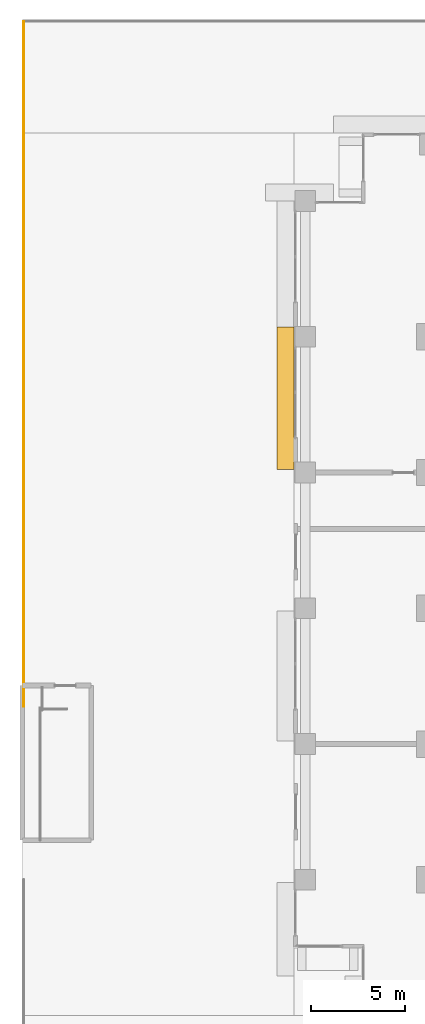
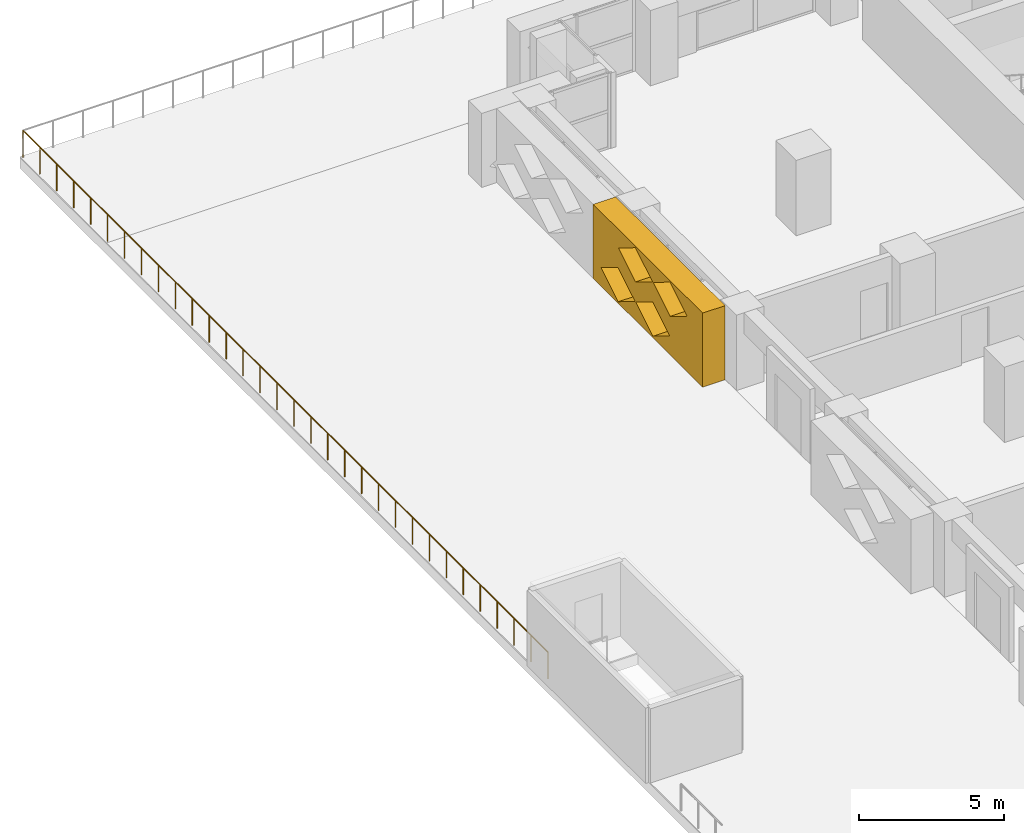
# One storey, part 19 of 24: 1 covering, 1 railing.
"""IFC4 building model written with IfcOpenShell, lengths in metres."""

import ifcopenshell
import ifcopenshell.guid

model = None  # the IFC model being written
_history = None  # IfcOwnerHistory: only IFC2X3 demands one
_inside = {}  # id of a spatial element -> (the spatial element, [elements in it])
_under = {}  # id of a project, library or spatial element -> (it, [spatial elements below it])
_declared = {}  # id of a project -> (the project, [libraries it declares])
_typed = {}  # id of a type object -> (the type object, [elements of that type])
_made_of = {}  # id of a material, layer set ... -> (it, [elements and type objects made of it])


def new_model(schema):
    """Start an empty IFC model of exactly this schema.

    Asked for "IFC4X3", IfcOpenShell would pick the latest addendum, in which some entities
    have other attributes; the version numbers below select the first issue.
    IFC2X3 requires an IfcOwnerHistory on every rooted entity: one is made here for all.
    """
    global model, _history
    if schema == "IFC4X3":
        model = ifcopenshell.file(schema_version=(4, 3, 0, 0))
    else:
        model = ifcopenshell.file(schema=schema)
    _inside.clear()
    _under.clear()
    _declared.clear()
    _typed.clear()
    _made_of.clear()
    _history = None
    if model.schema == "IFC2X3":
        org = make("IfcOrganization", Name="unknown")
        user = make(
            "IfcPersonAndOrganization",
            ThePerson=make("IfcPerson", FamilyName="unknown"),
            TheOrganization=org,
        )
        app = make(
            "IfcApplication",
            ApplicationDeveloper=org,
            Version="unknown",
            ApplicationFullName="unknown",
            ApplicationIdentifier="unknown",
        )
        _history = make(
            "IfcOwnerHistory",
            OwningUser=user,
            OwningApplication=app,
            ChangeAction="ADDED",
            CreationDate=0,
        )
    return model


def make(cls, **values):
    """One entity of the class cls with the attributes given. An attribute that is None is left unset."""
    return model.create_entity(
        cls, **{name: value for name, value in values.items() if value is not None}
    )


def rooted(cls, **values):
    """An entity with a GlobalId (a new one), such as an element, a storey or a relation."""
    return make(cls, GlobalId=ifcopenshell.guid.new(), OwnerHistory=_history, **values)


def si_unit(unit_type, name, prefix=None):
    """IfcSIUnit, for example si_unit("LENGTHUNIT", "METRE", prefix="MILLI")."""
    return make("IfcSIUnit", UnitType=unit_type, Prefix=prefix, Name=name)


def assignment(units):
    """IfcUnitAssignment: the units of a project."""
    return None if units is None else make("IfcUnitAssignment", Units=units)


def point(xyz):
    """IfcCartesianPoint."""
    return None if xyz is None else make("IfcCartesianPoint", Coordinates=xyz)


def direction(xyz):
    """IfcDirection."""
    return None if xyz is None else make("IfcDirection", DirectionRatios=xyz)


def frame(location, z_axis=None, x_axis=None):
    """IfcAxis2Placement3D, a coordinate frame: its origin and axes. An axis left out is left unset."""
    return make(
        "IfcAxis2Placement3D",
        Location=point(location),
        Axis=direction(z_axis),
        RefDirection=direction(x_axis),
    )


def frame_2d(location, x_axis=None):
    """IfcAxis2Placement2D, a coordinate frame in the plane: its origin and x axis."""
    return make(
        "IfcAxis2Placement2D", Location=point(location), RefDirection=direction(x_axis)
    )


def origin():
    """The frame at (0, 0, 0) with its axes left unset."""
    return frame((0.0, 0.0, 0.0))


def origin_2d():
    """The frame at (0, 0) in the plane with its x axis left unset."""
    return frame_2d((0.0, 0.0))


def place(relative_to, where):
    """IfcLocalPlacement: puts the frame where relative to a parent placement (None: the world)."""
    return make(
        "IfcLocalPlacement", PlacementRelTo=relative_to, RelativePlacement=where
    )


def context(
    kind, dimensions, precision=None, world=None, true_north=None, identifier=None
):
    """IfcGeometricRepresentationContext, for example the 3D "Model" context."""
    return make(
        "IfcGeometricRepresentationContext",
        ContextIdentifier=identifier,
        ContextType=kind,
        CoordinateSpaceDimension=dimensions,
        Precision=precision,
        WorldCoordinateSystem=world,
        TrueNorth=true_north,
    )


def subcontext(parent, identifier, kind, view, scale=None):
    """IfcGeometricRepresentationSubContext, for example "Body" below "Model"."""
    return make(
        "IfcGeometricRepresentationSubContext",
        ContextIdentifier=identifier,
        ContextType=kind,
        ParentContext=parent,
        TargetScale=scale,
        TargetView=view,
    )


def project(units=None, contexts=None):
    """IfcProject with its units and contexts."""
    return rooted(
        "IfcProject",
        Name="project",
        RepresentationContexts=contexts,
        UnitsInContext=assignment(units),
    )


def spatial(cls, under=None, at=None, **own):
    """A site, building, storey or space (cls), placed at a placement, below another one or the project."""
    s = rooted(cls, ObjectPlacement=at, **own)
    if under is not None:
        _under.setdefault(under.id(), (under, []))[1].append(s)
    return s


def polyline(points):
    """IfcPolyline through the points."""
    return make("IfcPolyline", Points=[point(p) for p in points])


def profile(cls, at=None, kind="AREA", **sizes):
    """A parametric profile (cls). Its sizes go by their IFC names, for example OverallWidth=200.0."""
    return make(cls, ProfileType=kind, Position=at, **sizes)


def circle(**sizes):
    """IfcCircleProfileDef."""
    return profile("IfcCircleProfileDef", **sizes)


def outline(outer, holes=None, kind="AREA"):
    """IfcArbitraryClosedProfileDef: a profile drawn as a closed curve; with holes, ...WithVoids."""
    if holes is None:
        return make("IfcArbitraryClosedProfileDef", ProfileType=kind, OuterCurve=outer)
    return make(
        "IfcArbitraryProfileDefWithVoids",
        ProfileType=kind,
        OuterCurve=outer,
        InnerCurves=holes,
    )


def extrude(swept, where, along, depth):
    """IfcExtrudedAreaSolid: the profile swept, set in the frame where, extruded along a direction by depth."""
    return make(
        "IfcExtrudedAreaSolid",
        SweptArea=swept,
        Position=where,
        ExtrudedDirection=direction(along),
        Depth=depth,
    )


def shape(context_of_items, identifier, shape_type, items):
    """IfcShapeRepresentation: the items that make up one representation, for example the "Body"."""
    return make(
        "IfcShapeRepresentation",
        ContextOfItems=context_of_items,
        RepresentationIdentifier=identifier,
        RepresentationType=shape_type,
        Items=items,
    )


def material(Name=None, Category=None):
    """IfcMaterial."""
    return make("IfcMaterial", Name=Name, Category=Category)


def made_of(thing, what):
    """Note that an element or type object is made of a material, layer set ...; save() writes the relation."""
    if what is not None:
        _made_of.setdefault(what.id(), (what, []))[1].append(thing)
    return thing


def type_object(cls, material=None, **own):
    """A type object (cls), such as IfcWallType, which elements share."""
    return made_of(rooted(cls, **own), material)


def element(
    cls,
    number,
    at=None,
    inside=None,
    cuts=None,
    type_object=None,
    material=None,
    context=None,
    identifier="Body",
    shape_type=None,
    held_by="IfcProductDefinitionShape",
    body=None,
    shapes=None,
    **own,
):
    """One element of the class cls, such as IfcWall. Its Tag is "e" and its number.

    at: its placement. inside: the storey or other place that contains it. cuts: it is an
    opening in that element (IfcRelVoidsElement). A single representation is given by context,
    identifier, shape_type and body (its items); several are given by shapes. held_by: the class
    of the entity that holds the representations. save() writes the other relations.
    """
    e = rooted(cls, Tag="e%d" % number, ObjectPlacement=at, **own)
    if body is not None:
        shapes = [shape(context, identifier, shape_type, body)]
    if shapes is not None:
        e.Representation = make(held_by, Representations=shapes)
    if inside is not None:
        _inside.setdefault(inside.id(), (inside, []))[1].append(e)
    if cuts is not None:
        rooted(
            "IfcRelVoidsElement", RelatingBuildingElement=cuts, RelatedOpeningElement=e
        )
    if type_object is not None:
        _typed.setdefault(type_object.id(), (type_object, []))[1].append(e)
    return made_of(e, material)


def aggregate(whole, parts):
    """IfcRelAggregates: a whole, such as a stair, and the parts it consists of."""
    return rooted("IfcRelAggregates", RelatingObject=whole, RelatedObjects=parts)


def save(model, path):
    """Write the relations noted so far, then the file.

    IfcRelAggregates (storeys below a building ...), IfcRelContainedInSpatialStructure (elements
    in a storey), IfcRelDefinesByType, IfcRelAssociatesMaterial and IfcRelDeclares: one each for
    every whole, place, type object, material and project.
    """
    for whole, parts in _under.values():
        aggregate(whole, parts)
    for where, things in _inside.values():
        rooted(
            "IfcRelContainedInSpatialStructure",
            RelatedElements=things,
            RelatingStructure=where,
        )
    for kind, things in _typed.values():
        rooted("IfcRelDefinesByType", RelatedObjects=things, RelatingType=kind)
    for what, things in _made_of.values():
        rooted("IfcRelAssociatesMaterial", RelatedObjects=things, RelatingMaterial=what)
    for by, libraries in _declared.values():
        rooted("IfcRelDeclares", RelatingContext=by, RelatedDefinitions=libraries)
    model.write(path)


model = new_model("IFC4")

# Units and contexts
model_context = context("Model", 3, precision=1e-05, world=origin(), true_north=direction((0.0, 1.0)))
body_context = subcontext(model_context, "Body", "Model", "MODEL_VIEW")
ifc_project = project(units=[si_unit("LENGTHUNIT", "METRE"), si_unit("AREAUNIT", "SQUARE_METRE"), si_unit("VOLUMEUNIT", "CUBIC_METRE"), si_unit("PLANEANGLEUNIT", "RADIAN"), si_unit("MASSUNIT", "GRAM", prefix="KILO")], contexts=[model_context])

# Site, building, storey
site_placement = place(None, origin())
site = spatial("IfcSite", under=ifc_project, at=site_placement, CompositionType="ELEMENT")
building_placement = place(site_placement, origin())
building = spatial("IfcBuilding", under=site, at=building_placement, Name="Saffron Iwan Residences", CompositionType="ELEMENT")
storey_placement = place(building_placement, frame((0.0, 0.0, 27.0)))
storey = spatial("IfcBuildingStorey", under=building, at=storey_placement, Name="L05", CompositionType="ELEMENT", Elevation=27.0)

# Covering
ifc_material_1 = material(Name="Precast concrete C40/50", Category="concrete")
covering_type = type_object("IfcCoveringType", Name="OUTER SKIN LATTICE SCREEN", PredefinedType="CLADDING", material=ifc_material_1)
covering_placement = place(storey_placement, frame((14.39990234375, 70.125, 0.050048828125), z_axis=(-1.0, 0.0, 0.0), x_axis=(0.0, -1.0, 0.0)))
element("IfcCovering", 1, at=covering_placement, inside=storey, type_object=covering_type, Name="OUTER SKIN lattice screen L05 F8.1", PredefinedType="CLADDING", context=body_context, shape_type="SweptSolid", body=[
    extrude(outline(polyline([(0.0, 0.0), (7.574951171875, 0.0), (7.574951171875, 3.1298828125), (0.0, 3.1298828125), (0.0, 0.0)]), holes=[polyline([(0.544921875, 0.782470703125), (1.72509765625, 0.06005859375), (2.905029296875, 0.782470703125), (1.72509765625, 1.5048828125), (0.544921875, 0.782470703125)]), polyline([(2.945068359375, 0.782470703125), (4.125, 0.06005859375), (5.304931640625, 0.782470703125), (4.125, 1.5048828125), (2.945068359375, 0.782470703125)]), polyline([(1.7451171875, 2.347412109375), (2.925048828125, 1.625), (4.10498046875, 2.347412109375), (2.925048828125, 3.070068359375), (1.7451171875, 2.347412109375)]), polyline([(4.14501953125, 2.347412109375), (5.324951171875, 1.625), (6.5048828125, 2.347412109375), (5.324951171875, 3.070068359375), (4.14501953125, 2.347412109375)])]), origin(), (0.0, 0.0, 1.0), 0.89990234375),
])

# Railing
ifc_material_2 = material(Name="Stainless steel 316", Category="steel")
railing_type = type_object("IfcRailingType", Name="TERRACE GUARD 1150", PredefinedType="BALUSTRADE", material=ifc_material_2)
railing_placement = place(storey_placement, frame((0.074951171875, 50.0, 0.050048828125)))
element("IfcRailing", 2, at=railing_placement, inside=storey, type_object=railing_type, Name="Terrace guard L05 3", PredefinedType="BALUSTRADE", context=body_context, shape_type="SweptSolid", body=[
    extrude(circle(Radius=0.02392578125, at=origin_2d()), frame((0.0, 0.0, 1.1259765625), z_axis=(0.0, 1.0, 0.0), x_axis=(-1.0, 0.0, 0.0)), (0.0, 0.0, 1.0), 36.324951171875),
    extrude(circle(Radius=0.02099609375, at=origin_2d()), origin(), (0.0, 0.0, 1.0), 1.101806640625),
    extrude(circle(Radius=0.02099609375, at=origin_2d()), frame((0.0, 1.171875, 0.0)), (0.0, 0.0, 1.0), 1.101806640625),
    extrude(circle(Radius=0.02099609375, at=origin_2d()), frame((0.0, 2.343505859375, 0.0)), (0.0, 0.0, 1.0), 1.101806640625),
    extrude(circle(Radius=0.02099609375, at=origin_2d()), frame((0.0, 3.515380859375, 0.0)), (0.0, 0.0, 1.0), 1.101806640625),
    extrude(circle(Radius=0.02099609375, at=origin_2d()), frame((0.0, 4.68701171875, 0.0)), (0.0, 0.0, 1.0), 1.101806640625),
    extrude(circle(Radius=0.02099609375, at=origin_2d()), frame((0.0, 5.85888671875, 0.0)), (0.0, 0.0, 1.0), 1.101806640625),
    extrude(circle(Radius=0.02099609375, at=origin_2d()), frame((0.0, 7.030517578125, 0.0)), (0.0, 0.0, 1.0), 1.101806640625),
    extrude(circle(Radius=0.02099609375, at=origin_2d()), frame((0.0, 8.202392578125, 0.0)), (0.0, 0.0, 1.0), 1.101806640625),
    extrude(circle(Radius=0.02099609375, at=origin_2d()), frame((0.0, 9.374267578125, 0.0)), (0.0, 0.0, 1.0), 1.101806640625),
    extrude(circle(Radius=0.02099609375, at=origin_2d()), frame((0.0, 10.5458984375, 0.0)), (0.0, 0.0, 1.0), 1.101806640625),
    extrude(circle(Radius=0.02099609375, at=origin_2d()), frame((0.0, 11.7177734375, 0.0)), (0.0, 0.0, 1.0), 1.101806640625),
    extrude(circle(Radius=0.02099609375, at=origin_2d()), frame((0.0, 12.889404296875, 0.0)), (0.0, 0.0, 1.0), 1.101806640625),
    extrude(circle(Radius=0.02099609375, at=origin_2d()), frame((0.0, 14.061279296875, 0.0)), (0.0, 0.0, 1.0), 1.101806640625),
    extrude(circle(Radius=0.02099609375, at=origin_2d()), frame((0.0, 15.233154296875, 0.0)), (0.0, 0.0, 1.0), 1.101806640625),
    extrude(circle(Radius=0.02099609375, at=origin_2d()), frame((0.0, 16.40478515625, 0.0)), (0.0, 0.0, 1.0), 1.101806640625),
    extrude(circle(Radius=0.02099609375, at=origin_2d()), frame((0.0, 17.57666015625, 0.0)), (0.0, 0.0, 1.0), 1.101806640625),
    extrude(circle(Radius=0.02099609375, at=origin_2d()), frame((0.0, 18.748291015625, 0.0)), (0.0, 0.0, 1.0), 1.101806640625),
    extrude(circle(Radius=0.02099609375, at=origin_2d()), frame((0.0, 19.920166015625, 0.0)), (0.0, 0.0, 1.0), 1.101806640625),
    extrude(circle(Radius=0.02099609375, at=origin_2d()), frame((0.0, 21.091796875, 0.0)), (0.0, 0.0, 1.0), 1.101806640625),
    extrude(circle(Radius=0.02099609375, at=origin_2d()), frame((0.0, 22.263671875, 0.0)), (0.0, 0.0, 1.0), 1.101806640625),
    extrude(circle(Radius=0.02099609375, at=origin_2d()), frame((0.0, 23.435546875, 0.0)), (0.0, 0.0, 1.0), 1.101806640625),
    extrude(circle(Radius=0.02099609375, at=origin_2d()), frame((0.0, 24.607177734375, 0.0)), (0.0, 0.0, 1.0), 1.101806640625),
    extrude(circle(Radius=0.02099609375, at=origin_2d()), frame((0.0, 25.779052734375, 0.0)), (0.0, 0.0, 1.0), 1.101806640625),
    extrude(circle(Radius=0.02099609375, at=origin_2d()), frame((0.0, 26.95068359375, 0.0)), (0.0, 0.0, 1.0), 1.101806640625),
    extrude(circle(Radius=0.02099609375, at=origin_2d()), frame((0.0, 28.12255859375, 0.0)), (0.0, 0.0, 1.0), 1.101806640625),
    extrude(circle(Radius=0.02099609375, at=origin_2d()), frame((0.0, 29.29443359375, 0.0)), (0.0, 0.0, 1.0), 1.101806640625),
    extrude(circle(Radius=0.02099609375, at=origin_2d()), frame((0.0, 30.466064453125, 0.0)), (0.0, 0.0, 1.0), 1.101806640625),
    extrude(circle(Radius=0.02099609375, at=origin_2d()), frame((0.0, 31.637939453125, 0.0)), (0.0, 0.0, 1.0), 1.101806640625),
    extrude(circle(Radius=0.02099609375, at=origin_2d()), frame((0.0, 32.8095703125, 0.0)), (0.0, 0.0, 1.0), 1.101806640625),
    extrude(circle(Radius=0.02099609375, at=origin_2d()), frame((0.0, 33.9814453125, 0.0)), (0.0, 0.0, 1.0), 1.101806640625),
    extrude(circle(Radius=0.02099609375, at=origin_2d()), frame((0.0, 35.153076171875, 0.0)), (0.0, 0.0, 1.0), 1.101806640625),
    extrude(circle(Radius=0.02099609375, at=origin_2d()), frame((0.0, 36.324951171875, 0.0)), (0.0, 0.0, 1.0), 1.101806640625),
])

save(model, "model.ifc")
